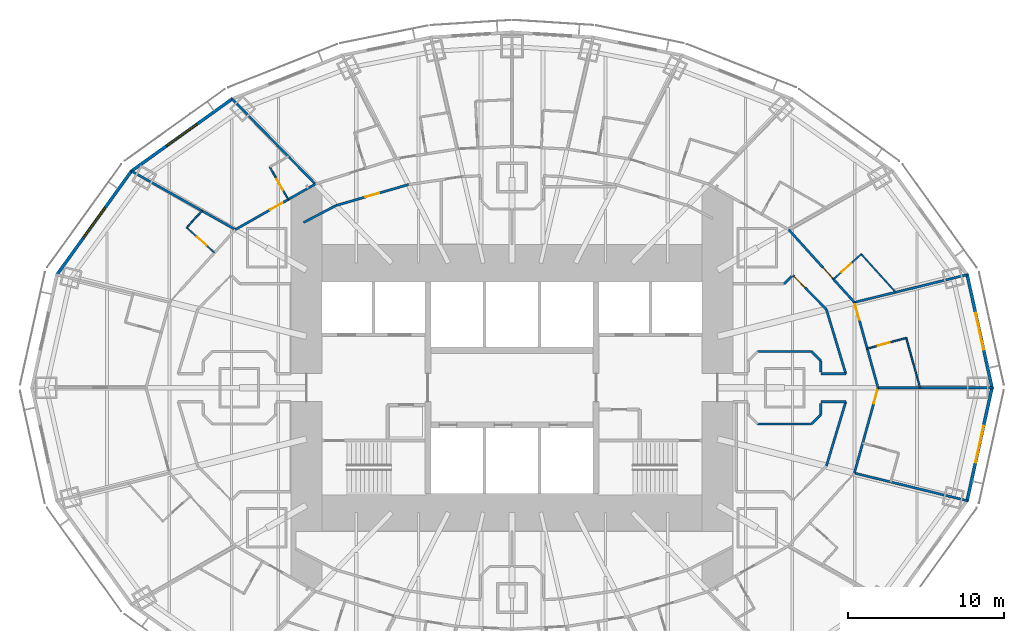
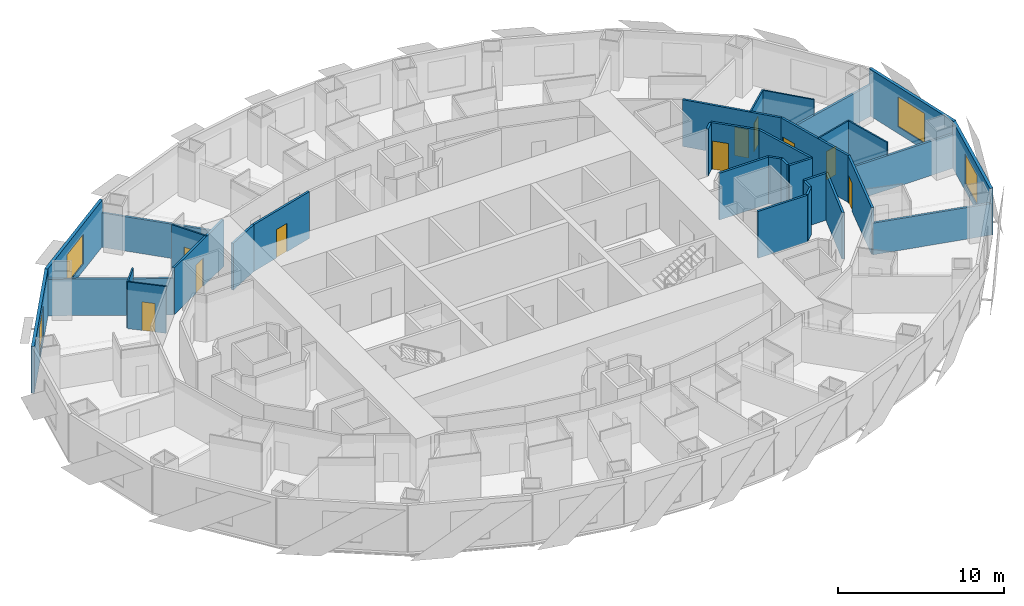
# One storey, part 9 of 17: 34 walls, 10 doors, 4 windows, 14 openings.
"""IFC4 building model written with IfcOpenShell, lengths in metres."""

from ifc_helpers import new_model, si_unit, direction, frame, frame_2d, origin, place, context, subcontext, project, spatial, rectangle, extrude, material, layer, layer_set, type_object, element, fill, save


model = new_model("IFC4")

# Units and contexts
model_context = context("Model", 3, precision=1e-05, world=origin(), true_north=direction((0.0, 1.0)))
body_context = subcontext(model_context, "Body", "Model", "MODEL_VIEW")
ifc_project = project(units=[si_unit("LENGTHUNIT", "METRE"), si_unit("AREAUNIT", "SQUARE_METRE"), si_unit("VOLUMEUNIT", "CUBIC_METRE"), si_unit("PLANEANGLEUNIT", "RADIAN"), si_unit("MASSUNIT", "GRAM", prefix="KILO")], contexts=[model_context])

# Site, building, storey
site_placement = place(None, origin())
site = spatial("IfcSite", under=ifc_project, at=site_placement, CompositionType="ELEMENT")
building_placement = place(site_placement, origin())
building = spatial("IfcBuilding", under=site, at=building_placement, Name="Lantaw Convention Tower", CompositionType="ELEMENT")
storey_placement = place(building_placement, frame((0.0, 0.0, 40.60009765625)))
storey = spatial("IfcBuildingStorey", under=building, at=storey_placement, Name="L07", CompositionType="ELEMENT", Elevation=40.60009765625)

# Wall, opening, door
ifc_material_1 = material(Name="Moisture resistant gypsum board on steel studs", Category="steel")
ifc_layer_1 = layer(ifc_material_1, 0.10009765625)
ifc_layer_set_1 = layer_set([ifc_layer_1], Name="Bathroom wall 100")
wall_type_1 = type_object("IfcWallType", Name="Bathroom wall 100", PredefinedType="PARTITIONING", material=ifc_layer_set_1)
wall_1_placement = place(storey_placement, frame((22.805908203125, 2.505615234375, 0.0), z_axis=(0.0, 0.0, 1.0), x_axis=(0.963707353322, 0.266960928139, 0.0)))
wall_1 = element("IfcWall", 1, at=wall_1_placement, inside=storey, type_object=wall_type_1, Name="Bathroom wall 100", PredefinedType="PARTITIONING", context=body_context, shape_type="SweptSolid", body=[
    extrude(rectangle(XDim=2.599853515625, YDim=0.10009765625, at=frame_2d((1.2998046875, 0.0))), origin(), (0.0, 0.0, 1.0), 3.449951171875),
])
opening_1_placement = place(wall_1_placement, frame((0.699951171875, 0.0, 0.0)))
opening_1 = element("IfcOpeningElement", 2, at=opening_1_placement, cuts=wall_1, Name="Opening L07.25", PredefinedType="OPENING", context=body_context, shape_type="SweptSolid", body=[
    extrude(rectangle(XDim=0.800048828125, YDim=2.10009765625, at=frame_2d((0.39990234375, 1.050048828125))), frame((0.0, 0.06005859375, 0.0), z_axis=(0.0, -1.0, 0.0), x_axis=(1.0, 0.0, 0.0)), (0.0, 0.0, 1.0), 0.1201171875),
])
ifc_material_2 = material(Name="Timber", Category="wood")
door_type_1 = type_object("IfcDoorType", Name="Bathroom door 800", OperationType="SINGLE_SWING_LEFT", PredefinedType="DOOR", material=ifc_material_2)
door_1_placement = place(opening_1_placement, origin())
door_1 = element("IfcDoor", 3, at=door_1_placement, inside=storey, type_object=door_type_1, Name="Bathroom door", OperationType="SINGLE_SWING_LEFT", OverallHeight=2.10009765625, OverallWidth=0.800048828125, PredefinedType="DOOR", context=body_context, shape_type="SweptSolid", body=[
    extrude(rectangle(XDim=0.800048828125, YDim=2.10009765625, at=frame_2d((0.39990234375, 1.050048828125))), frame((0.0, 0.02490234375, 0.0), z_axis=(0.0, -1.0, 0.0), x_axis=(1.0, 0.0, 0.0)), (0.0, 0.0, 1.0), 0.050048828125),
])
fill(opening_1, door_1)

# Wall
wall_2_placement = place(storey_placement, frame((25.3115234375, 3.19970703125, 0.0), z_axis=(0.0, 0.0, 1.0), x_axis=(0.266991503446, -0.963698882996, 0.0)))
element("IfcWall", 4, at=wall_2_placement, inside=storey, type_object=wall_type_1, Name="Bathroom wall 100", PredefinedType="PARTITIONING", context=body_context, shape_type="SweptSolid", body=[
    extrude(rectangle(XDim=3.3203125, YDim=0.10009765625, at=frame_2d((1.66015625, 0.0))), origin(), (0.0, 0.0, 1.0), 3.449951171875),
])

# Wall, opening, door
wall_3_placement = place(storey_placement, frame((20.640625, 6.96435546875, 0.0), z_axis=(0.0, 0.0, 1.0), x_axis=(0.741861025859, 0.670553665496, 0.0)))
wall_3 = element("IfcWall", 5, at=wall_3_placement, inside=storey, type_object=wall_type_1, Name="Bathroom wall 100", PredefinedType="PARTITIONING", context=body_context, shape_type="SweptSolid", body=[
    extrude(rectangle(XDim=2.400146484375, YDim=0.10009765625, at=frame_2d((1.2001953125, 0.0))), origin(), (0.0, 0.0, 1.0), 3.449951171875),
])
opening_2_placement = place(wall_3_placement, frame((0.699951171875, 0.0, 0.0)))
opening_2 = element("IfcOpeningElement", 6, at=opening_2_placement, cuts=wall_3, Name="Opening L07.27", PredefinedType="OPENING", context=body_context, shape_type="SweptSolid", body=[
    extrude(rectangle(XDim=0.800048828125, YDim=2.10009765625, at=frame_2d((0.39990234375, 1.050048828125))), frame((0.0, 0.06005859375, 0.0), z_axis=(0.0, -1.0, 0.0), x_axis=(1.0, 0.0, 0.0)), (0.0, 0.0, 1.0), 0.1201171875),
])
door_2_placement = place(opening_2_placement, origin())
door_2 = element("IfcDoor", 7, at=door_2_placement, inside=storey, type_object=door_type_1, Name="Bathroom door", OperationType="SINGLE_SWING_LEFT", OverallHeight=2.10009765625, OverallWidth=0.800048828125, PredefinedType="DOOR", context=body_context, shape_type="SweptSolid", body=[
    extrude(rectangle(XDim=0.800048828125, YDim=2.10009765625, at=frame_2d((0.39990234375, 1.050048828125))), frame((0.0, 0.02490234375, 0.0), z_axis=(0.0, -1.0, 0.0), x_axis=(1.0, 0.0, 0.0)), (0.0, 0.0, 1.0), 0.050048828125),
])
fill(opening_2, door_2)

# Wall
wall_4_placement = place(storey_placement, frame((22.421142578125, 8.57373046875, 0.0), z_axis=(0.0, 0.0, 1.0), x_axis=(0.670578246017, -0.741838807268, 0.0)))
element("IfcWall", 8, at=wall_4_placement, inside=storey, type_object=wall_type_1, Name="Bathroom wall 100", PredefinedType="PARTITIONING", context=body_context, shape_type="SweptSolid", body=[
    extrude(rectangle(XDim=3.2822265625, YDim=0.10009765625, at=frame_2d((1.64111328125, 0.0))), origin(), (0.0, 0.0, 1.0), 3.449951171875),
])

# Wall, opening, door
wall_5_placement = place(storey_placement, frame((-14.36279296875, 12.083984375, 0.0), z_axis=(0.0, 0.0, 1.0), x_axis=(-0.494703113698, 0.869062039959, 0.0)))
wall_5 = element("IfcWall", 9, at=wall_5_placement, inside=storey, type_object=wall_type_1, Name="Bathroom wall 100", PredefinedType="PARTITIONING", context=body_context, shape_type="SweptSolid", body=[
    extrude(rectangle(XDim=2.39990234375, YDim=0.10009765625, at=frame_2d((1.199951171875, 0.0))), origin(), (0.0, 0.0, 1.0), 3.449951171875),
])
opening_3_placement = place(wall_5_placement, frame((0.699951171875, 0.0, 0.0)))
opening_3 = element("IfcOpeningElement", 10, at=opening_3_placement, cuts=wall_5, Name="Opening L07.43", PredefinedType="OPENING", context=body_context, shape_type="SweptSolid", body=[
    extrude(rectangle(XDim=0.800048828125, YDim=2.10009765625, at=frame_2d((0.39990234375, 1.050048828125))), frame((0.0, 0.06005859375, 0.0), z_axis=(0.0, -1.0, 0.0), x_axis=(1.0, 0.0, 0.0)), (0.0, 0.0, 1.0), 0.1201171875),
])
door_3_placement = place(opening_3_placement, origin())
door_3 = element("IfcDoor", 11, at=door_3_placement, inside=storey, type_object=door_type_1, Name="Bathroom door", OperationType="SINGLE_SWING_LEFT", OverallHeight=2.10009765625, OverallWidth=0.800048828125, PredefinedType="DOOR", context=body_context, shape_type="SweptSolid", body=[
    extrude(rectangle(XDim=0.800048828125, YDim=2.10009765625, at=frame_2d((0.39990234375, 1.050048828125))), frame((0.0, 0.02490234375, 0.0), z_axis=(0.0, -1.0, 0.0), x_axis=(1.0, 0.0, 0.0)), (0.0, 0.0, 1.0), 0.050048828125),
])
fill(opening_3, door_3)

wall_6_placement = place(storey_placement, frame((-19.1025390625, 8.665771484375, 0.0), z_axis=(0.0, 0.0, 1.0), x_axis=(-0.741861025859, 0.670553665496, 0.0)))
wall_6 = element("IfcWall", 12, at=wall_6_placement, inside=storey, type_object=wall_type_1, Name="Bathroom wall 100", PredefinedType="PARTITIONING", context=body_context, shape_type="SweptSolid", body=[
    extrude(rectangle(XDim=2.400146484375, YDim=0.10009765625, at=frame_2d((1.2001953125, 0.0))), origin(), (0.0, 0.0, 1.0), 3.449951171875),
])
opening_4_placement = place(wall_6_placement, frame((0.699951171875, 0.0, 0.0)))
opening_4 = element("IfcOpeningElement", 13, at=opening_4_placement, cuts=wall_6, Name="Opening L07.45", PredefinedType="OPENING", context=body_context, shape_type="SweptSolid", body=[
    extrude(rectangle(XDim=0.800048828125, YDim=2.10009765625, at=frame_2d((0.39990234375, 1.050048828125))), frame((0.0, 0.06005859375, 0.0), z_axis=(0.0, -1.0, 0.0), x_axis=(1.0, 0.0, 0.0)), (0.0, 0.0, 1.0), 0.1201171875),
])
door_4_placement = place(opening_4_placement, origin())
door_4 = element("IfcDoor", 14, at=door_4_placement, inside=storey, type_object=door_type_1, Name="Bathroom door", OperationType="SINGLE_SWING_LEFT", OverallHeight=2.10009765625, OverallWidth=0.800048828125, PredefinedType="DOOR", context=body_context, shape_type="SweptSolid", body=[
    extrude(rectangle(XDim=0.800048828125, YDim=2.10009765625, at=frame_2d((0.39990234375, 1.050048828125))), frame((0.0, 0.02490234375, 0.0), z_axis=(0.0, -1.0, 0.0), x_axis=(1.0, 0.0, 0.0)), (0.0, 0.0, 1.0), 0.050048828125),
])
fill(opening_4, door_4)

# Wall
wall_7_placement = place(storey_placement, frame((-20.883056640625, 10.275146484375, 0.0), z_axis=(0.0, 0.0, 1.0), x_axis=(0.670592268759, 0.7418261313, 0.0)))
element("IfcWall", 15, at=wall_7_placement, inside=storey, type_object=wall_type_1, Name="Bathroom wall 100", PredefinedType="PARTITIONING", context=body_context, shape_type="SweptSolid", body=[
    extrude(rectangle(XDim=1.4736328125, YDim=0.10009765625, at=frame_2d((0.73681640625, 0.0))), origin(), (0.0, 0.0, 1.0), 3.449951171875),
])

# Wall, opening, door
ifc_material_3 = material(Name="Gypsum board on steel studs, fire rated", Category="steel")
ifc_layer_2 = layer(ifc_material_3, 0.14990234375)
ifc_layer_set_2 = layer_set([ifc_layer_2], Name="Corridor wall 150 EI 60")
wall_type_2 = type_object("IfcWallType", Name="Corridor wall 150 EI 60", PredefinedType="PARTITIONING", material=ifc_layer_set_2)
wall_8_placement = place(storey_placement, frame((23.5, 0.0, 0.0), z_axis=(0.0, 0.0, 1.0), x_axis=(-0.266933062421, 0.963715072097, 0.0)))
wall_8 = element("IfcWall", 16, at=wall_8_placement, inside=storey, type_object=wall_type_2, Name="Corridor wall 150", PredefinedType="PARTITIONING", context=body_context, shape_type="SweptSolid", body=[
    extrude(rectangle(XDim=5.68701171875, YDim=0.14990234375, at=frame_2d((2.843505859375, 0.0))), origin(), (0.0, 0.0, 1.0), 3.449951171875),
])
opening_5_placement = place(wall_8_placement, frame((4.537109375, 0.0, 0.0)))
opening_5 = element("IfcOpeningElement", 17, at=opening_5_placement, cuts=wall_8, Name="Opening L07.26", PredefinedType="OPENING", context=body_context, shape_type="SweptSolid", body=[
    extrude(rectangle(XDim=1.0, YDim=2.10009765625, at=frame_2d((0.5, 1.050048828125))), frame((0.0, 0.0849609375, 0.0), z_axis=(0.0, -1.0, 0.0), x_axis=(1.0, 0.0, 0.0)), (0.0, 0.0, 1.0), 0.169921875),
])
ifc_material_4 = material(Name="Steel, fire rated", Category="steel")
door_type_2 = type_object("IfcDoorType", Name="Accessible room entrance door FD30S", OperationType="SINGLE_SWING_LEFT", PredefinedType="DOOR", material=ifc_material_4)
door_5_placement = place(opening_5_placement, origin())
door_5 = element("IfcDoor", 18, at=door_5_placement, inside=storey, type_object=door_type_2, Name="Guest room entrance door", OperationType="SINGLE_SWING_LEFT", OverallHeight=2.10009765625, OverallWidth=1.0, PredefinedType="DOOR", context=body_context, shape_type="SweptSolid", body=[
    extrude(rectangle(XDim=1.0, YDim=2.10009765625, at=frame_2d((0.5, 1.050048828125))), frame((0.0, 0.02490234375, 0.0), z_axis=(0.0, -1.0, 0.0), x_axis=(1.0, 0.0, 0.0)), (0.0, 0.0, 1.0), 0.050048828125),
])
fill(opening_5, door_5)

wall_9_placement = place(storey_placement, frame((21.98193359375, 5.480712890625, 0.0), z_axis=(0.0, 0.0, 1.0), x_axis=(-0.670598380282, 0.741820606591, 0.0)))
wall_9 = element("IfcWall", 19, at=wall_9_placement, inside=storey, type_object=wall_type_2, Name="Corridor wall 150", PredefinedType="PARTITIONING", context=body_context, shape_type="SweptSolid", body=[
    extrude(rectangle(XDim=6.29345703125, YDim=0.14990234375, at=frame_2d((3.146728515625, 0.0))), origin(), (0.0, 0.0, 1.0), 3.449951171875),
])
opening_6_placement = place(wall_9_placement, frame((2.10009765625, 0.0, 0.0)))
opening_6 = element("IfcOpeningElement", 20, at=opening_6_placement, cuts=wall_9, Name="Opening L07.28", PredefinedType="OPENING", context=body_context, shape_type="SweptSolid", body=[
    extrude(rectangle(XDim=0.89990234375, YDim=2.10009765625, at=frame_2d((0.449951171875, 1.050048828125))), frame((0.0, 0.0849609375, 0.0), z_axis=(0.0, -1.0, 0.0), x_axis=(1.0, 0.0, 0.0)), (0.0, 0.0, 1.0), 0.169921875),
])
door_type_3 = type_object("IfcDoorType", Name="Guest room entrance door FD30S", OperationType="SINGLE_SWING_LEFT", PredefinedType="DOOR", material=ifc_material_4)
door_6_placement = place(opening_6_placement, origin())
door_6 = element("IfcDoor", 21, at=door_6_placement, inside=storey, type_object=door_type_3, Name="Guest room entrance door", OperationType="SINGLE_SWING_LEFT", OverallHeight=2.10009765625, OverallWidth=0.89990234375, PredefinedType="DOOR", context=body_context, shape_type="SweptSolid", body=[
    extrude(rectangle(XDim=0.89990234375, YDim=2.10009765625, at=frame_2d((0.449951171875, 1.050048828125))), frame((0.0, 0.02490234375, 0.0), z_axis=(0.0, -1.0, 0.0), x_axis=(1.0, 0.0, 0.0)), (0.0, 0.0, 1.0), 0.050048828125),
])
fill(opening_6, door_6)

wall_10_placement = place(storey_placement, frame((-12.624755859375, 13.0732421875, 0.0), z_axis=(0.0, 0.0, 1.0), x_axis=(-0.86907565943, -0.494679187136, 0.0)))
wall_10 = element("IfcWall", 22, at=wall_10_placement, inside=storey, type_object=wall_type_2, Name="Corridor wall 150", PredefinedType="PARTITIONING", context=body_context, shape_type="SweptSolid", body=[
    extrude(rectangle(XDim=5.91064453125, YDim=0.14990234375, at=frame_2d((2.955322265625, 0.0))), origin(), (0.0, 0.0, 1.0), 3.449951171875),
])
opening_7_placement = place(wall_10_placement, frame((2.43701171875, 0.0, 0.0)))
opening_7 = element("IfcOpeningElement", 23, at=opening_7_placement, cuts=wall_10, Name="Opening L07.44", PredefinedType="OPENING", context=body_context, shape_type="SweptSolid", body=[
    extrude(rectangle(XDim=0.89990234375, YDim=2.10009765625, at=frame_2d((0.449951171875, 1.050048828125))), frame((0.0, 0.0849609375, 0.0), z_axis=(0.0, -1.0, 0.0), x_axis=(1.0, 0.0, 0.0)), (0.0, 0.0, 1.0), 0.169921875),
])
door_7_placement = place(opening_7_placement, origin())
door_7 = element("IfcDoor", 24, at=door_7_placement, inside=storey, type_object=door_type_3, Name="Guest room entrance door", OperationType="SINGLE_SWING_LEFT", OverallHeight=2.10009765625, OverallWidth=0.89990234375, PredefinedType="DOOR", context=body_context, shape_type="SweptSolid", body=[
    extrude(rectangle(XDim=0.89990234375, YDim=2.10009765625, at=frame_2d((0.449951171875, 1.050048828125))), frame((0.0, 0.02490234375, 0.0), z_axis=(0.0, -1.0, 0.0), x_axis=(1.0, 0.0, 0.0)), (0.0, 0.0, 1.0), 0.050048828125),
])
fill(opening_7, door_7)

wall_11_placement = place(storey_placement, frame((21.98193359375, -5.480712890625, 0.0), z_axis=(0.0, 0.0, 1.0), x_axis=(0.266933062421, 0.963715072097, 0.0)))
wall_11 = element("IfcWall", 25, at=wall_11_placement, inside=storey, type_object=wall_type_2, Name="Corridor wall 150", PredefinedType="PARTITIONING", context=body_context, shape_type="SweptSolid", body=[
    extrude(rectangle(XDim=5.68701171875, YDim=0.14990234375, at=frame_2d((2.843505859375, 0.0))), origin(), (0.0, 0.0, 1.0), 3.449951171875),
])
opening_8_placement = place(wall_11_placement, frame((4.63720703125, 0.0, 0.0)))
opening_8 = element("IfcOpeningElement", 26, at=opening_8_placement, cuts=wall_11, Name="Opening L07.71", PredefinedType="OPENING", context=body_context, shape_type="SweptSolid", body=[
    extrude(rectangle(XDim=0.89990234375, YDim=2.10009765625, at=frame_2d((0.449951171875, 1.050048828125))), frame((0.0, 0.0849609375, 0.0), z_axis=(0.0, -1.0, 0.0), x_axis=(1.0, 0.0, 0.0)), (0.0, 0.0, 1.0), 0.169921875),
])
door_8_placement = place(opening_8_placement, origin())
door_8 = element("IfcDoor", 27, at=door_8_placement, inside=storey, type_object=door_type_3, Name="Guest room entrance door", OperationType="SINGLE_SWING_LEFT", OverallHeight=2.10009765625, OverallWidth=0.89990234375, PredefinedType="DOOR", context=body_context, shape_type="SweptSolid", body=[
    extrude(rectangle(XDim=0.89990234375, YDim=2.10009765625, at=frame_2d((0.449951171875, 1.050048828125))), frame((0.0, 0.02490234375, 0.0), z_axis=(0.0, -1.0, 0.0), x_axis=(1.0, 0.0, 0.0)), (0.0, 0.0, 1.0), 0.050048828125),
])
fill(opening_8, door_8)

# Wall
wall_12_placement = place(storey_placement, frame((21.4287109375, 0.89990234375, 0.0), z_axis=(0.0, 0.0, 1.0), x_axis=(-0.288603524054, 0.957448696225, 0.0)))
element("IfcWall", 28, at=wall_12_placement, inside=storey, type_object=wall_type_2, Name="Corridor wall 150", PredefinedType="PARTITIONING", context=body_context, shape_type="SweptSolid", body=[
    extrude(rectangle(XDim=4.31591796875, YDim=0.14990234375, at=frame_2d((2.157958984375, 0.0))), origin(), (0.0, 0.0, 1.0), 3.449951171875),
])

# Wall, opening, door
wall_13_placement = place(storey_placement, frame((-6.645263671875, 13.041748046875, 0.0), z_axis=(0.0, 0.0, 1.0), x_axis=(-0.960678318068, -0.277663770041, 0.0)))
wall_13 = element("IfcWall", 29, at=wall_13_placement, inside=storey, type_object=wall_type_2, Name="Corridor wall 150", PredefinedType="PARTITIONING", context=body_context, shape_type="SweptSolid", body=[
    extrude(rectangle(XDim=4.84130859375, YDim=0.14990234375, at=frame_2d((2.420654296875, 0.0))), origin(), (0.0, 0.0, 1.0), 3.449951171875),
])
opening_9_placement = place(wall_13_placement, frame((1.970703125, 0.0, 0.0)))
opening_9 = element("IfcOpeningElement", 30, at=opening_9_placement, cuts=wall_13, Name="Opening L07.19", PredefinedType="OPENING", context=body_context, shape_type="SweptSolid", body=[
    extrude(rectangle(XDim=0.89990234375, YDim=2.10009765625, at=frame_2d((0.449951171875, 1.050048828125))), frame((0.0, 0.0849609375, 0.0), z_axis=(0.0, -1.0, 0.0), x_axis=(1.0, 0.0, 0.0)), (0.0, 0.0, 1.0), 0.169921875),
])
door_type_4 = type_object("IfcDoorType", Name="Service door 900 FD30", OperationType="SINGLE_SWING_LEFT", PredefinedType="DOOR", material=ifc_material_4)
door_9_placement = place(opening_9_placement, origin())
door_9 = element("IfcDoor", 31, at=door_9_placement, inside=storey, type_object=door_type_4, Name="Housekeeping store door", OperationType="SINGLE_SWING_LEFT", OverallHeight=2.10009765625, OverallWidth=0.89990234375, PredefinedType="DOOR", context=body_context, shape_type="SweptSolid", body=[
    extrude(rectangle(XDim=0.89990234375, YDim=2.10009765625, at=frame_2d((0.449951171875, 1.050048828125))), frame((0.0, 0.02490234375, 0.0), z_axis=(0.0, -1.0, 0.0), x_axis=(1.0, 0.0, 0.0)), (0.0, 0.0, 1.0), 0.050048828125),
])
fill(opening_9, door_9)

# Walls
wall_14_placement = place(storey_placement, frame((20.18310546875, -5.0322265625, 0.0), z_axis=(0.0, 0.0, 1.0), x_axis=(0.288603524054, 0.957448696225, 0.0)))
element("IfcWall", 32, at=wall_14_placement, inside=storey, type_object=wall_type_2, Name="Corridor wall 150", PredefinedType="PARTITIONING", context=body_context, shape_type="SweptSolid", body=[
    extrude(rectangle(XDim=4.31591796875, YDim=0.14990234375, at=frame_2d((2.157958984375, 0.0))), origin(), (0.0, 0.0, 1.0), 3.449951171875),
])
wall_15_placement = place(storey_placement, frame((-11.296142578125, 11.697509765625, 0.0), z_axis=(0.0, 0.0, 1.0), x_axis=(-0.886306431218, -0.463099244203, 0.0)))
element("IfcWall", 33, at=wall_15_placement, inside=storey, type_object=wall_type_2, Name="Corridor wall 150", PredefinedType="PARTITIONING", context=body_context, shape_type="SweptSolid", body=[
    extrude(rectangle(XDim=2.3623046875, YDim=0.14990234375, at=frame_2d((1.18115234375, 0.0))), origin(), (0.0, 0.0, 1.0), 3.449951171875),
])

# Wall, opening, door
wall_16_placement = place(storey_placement, frame((20.18310546875, 5.0322265625, 0.0), z_axis=(0.0, 0.0, 1.0), x_axis=(-0.701392176983, 0.712775570616, 0.0)))
wall_16 = element("IfcWall", 34, at=wall_16_placement, inside=storey, type_object=wall_type_2, Name="Corridor wall 150", PredefinedType="PARTITIONING", context=body_context, shape_type="SweptSolid", body=[
    extrude(rectangle(XDim=3.06689453125, YDim=0.14990234375, at=frame_2d((1.533447265625, 0.0))), origin(), (0.0, 0.0, 1.0), 3.449951171875),
])
opening_10_placement = place(wall_16_placement, frame((1.949951171875, 0.0, 0.0)))
opening_10 = element("IfcOpeningElement", 35, at=opening_10_placement, cuts=wall_16, Name="Opening L07.17", PredefinedType="OPENING", context=body_context, shape_type="SweptSolid", body=[
    extrude(rectangle(XDim=1.0, YDim=2.10009765625, at=frame_2d((0.5, 1.050048828125))), frame((0.0, 0.0849609375, 0.0), z_axis=(0.0, -1.0, 0.0), x_axis=(1.0, 0.0, 0.0)), (0.0, 0.0, 1.0), 0.169921875),
])
door_type_5 = type_object("IfcDoorType", Name="Service door 1000 FD30", OperationType="SINGLE_SWING_LEFT", PredefinedType="DOOR", material=ifc_material_4)
door_10_placement = place(opening_10_placement, origin())
door_10 = element("IfcDoor", 36, at=door_10_placement, inside=storey, type_object=door_type_5, Name="Linen store door", OperationType="SINGLE_SWING_LEFT", OverallHeight=2.10009765625, OverallWidth=1.0, PredefinedType="DOOR", context=body_context, shape_type="SweptSolid", body=[
    extrude(rectangle(XDim=1.0, YDim=2.10009765625, at=frame_2d((0.5, 1.050048828125))), frame((0.0, 0.02490234375, 0.0), z_axis=(0.0, -1.0, 0.0), x_axis=(1.0, 0.0, 0.0)), (0.0, 0.0, 1.0), 0.050048828125),
])
fill(opening_10, door_10)

# Walls
wall_17_placement = place(storey_placement, frame((17.951904296875, 7.15234375, 0.0), z_axis=(0.0, 0.0, 1.0), x_axis=(-0.707106781187, -0.707106781187, 0.0)))
element("IfcWall", 37, at=wall_17_placement, inside=storey, type_object=wall_type_2, Name="Corridor wall 150", PredefinedType="PARTITIONING", context=body_context, shape_type="SweptSolid", body=[
    extrude(rectangle(XDim=0.675048828125, YDim=0.14990234375, at=frame_2d((0.33740234375, 0.0))), origin(), (0.0, 0.0, 1.0), 3.449951171875),
])
for number, where, z_axis, x_axis, name in (
    (38, (19.8349609375, -0.89990234375, 0.0), (0.0, 0.0, 1.0), (1.0, 0.0, 0.0), "Corridor wall 150"),
    (39, (19.8349609375, 0.89990234375, 0.0), (0.0, 0.0, 1.0), (1.0, 0.0, 0.0), "Corridor wall 150"),
):
    element("IfcWall", number, at=place(storey_placement, frame(where, z_axis=z_axis, x_axis=x_axis)), inside=storey, type_object=wall_type_2, Name=name, PredefinedType="PARTITIONING", context=body_context, shape_type="SweptSolid", body=[
        extrude(rectangle(XDim=1.59375, YDim=0.14990234375, at=frame_2d((0.796875, 0.0))), origin(), (0.0, 0.0, 1.0), 3.449951171875),
    ])
wall_18_placement = place(storey_placement, frame((15.775390625, 2.324951171875, 0.0), z_axis=(0.0, 0.0, 1.0), x_axis=(1.0, 0.0, 0.0)))
element("IfcWall", 40, at=wall_18_placement, inside=storey, type_object=wall_type_2, Name="Corridor wall 150", PredefinedType="PARTITIONING", context=body_context, shape_type="SweptSolid", body=[
    extrude(rectangle(XDim=3.44921875, YDim=0.14990234375, at=frame_2d((1.724609375, 0.0))), origin(), (0.0, 0.0, 1.0), 3.449951171875),
])
wall_19_placement = place(storey_placement, frame((19.224609375, 2.324951171875, 0.0), z_axis=(0.0, 0.0, 1.0), x_axis=(0.707106781187, -0.707106781187, 0.0)))
element("IfcWall", 41, at=wall_19_placement, inside=storey, type_object=wall_type_2, Name="Corridor wall 150", PredefinedType="PARTITIONING", context=body_context, shape_type="SweptSolid", body=[
    extrude(rectangle(XDim=0.84912109375, YDim=0.14990234375, at=frame_2d((0.424560546875, 0.0))), origin(), (0.0, 0.0, 1.0), 3.449951171875),
])
for number, where, z_axis, x_axis, name in (
    (42, (19.824951171875, 1.724609375, 0.0), (0.0, 0.0, 1.0), (0.0, -1.0, 0.0), "Corridor wall 150"),
    (43, (19.824951171875, -1.003173828125, 0.0), (0.0, 0.0, 1.0), (0.0, -1.0, 0.0), "Corridor wall 150"),
):
    element("IfcWall", number, at=place(storey_placement, frame(where, z_axis=z_axis, x_axis=x_axis)), inside=storey, type_object=wall_type_2, Name=name, PredefinedType="PARTITIONING", context=body_context, shape_type="SweptSolid", body=[
        extrude(rectangle(XDim=0.721435546875, YDim=0.14990234375, at=frame_2d((0.36083984375, 0.0))), origin(), (0.0, 0.0, 1.0), 3.449951171875),
    ])
wall_20_placement = place(storey_placement, frame((19.824951171875, -1.724609375, 0.0), z_axis=(0.0, 0.0, 1.0), x_axis=(-0.707106781187, -0.707106781187, 0.0)))
element("IfcWall", 44, at=wall_20_placement, inside=storey, type_object=wall_type_2, Name="Corridor wall 150", PredefinedType="PARTITIONING", context=body_context, shape_type="SweptSolid", body=[
    extrude(rectangle(XDim=0.84912109375, YDim=0.14990234375, at=frame_2d((0.424560546875, 0.0))), origin(), (0.0, 0.0, 1.0), 3.449951171875),
])
wall_21_placement = place(storey_placement, frame((19.224609375, -2.324951171875, 0.0), z_axis=(0.0, 0.0, 1.0), x_axis=(-1.0, 0.0, 0.0)))
element("IfcWall", 45, at=wall_21_placement, inside=storey, type_object=wall_type_2, Name="Corridor wall 150", PredefinedType="PARTITIONING", context=body_context, shape_type="SweptSolid", body=[
    extrude(rectangle(XDim=3.44921875, YDim=0.14990234375, at=frame_2d((1.724609375, 0.0))), origin(), (0.0, 0.0, 1.0), 3.449951171875),
])

# Wall, opening, window
ifc_material_5 = material(Name="Insulated aluminium panel on steel frame", Category="steel")
ifc_layer_3 = layer(ifc_material_5, 0.199951171875)
ifc_layer_set_3 = layer_set([ifc_layer_3], Name="External wall 200")
wall_type_3 = type_object("IfcWallType", Name="External wall 200", PredefinedType="SOLIDWALL", material=ifc_layer_set_3)
wall_22_placement = place(storey_placement, frame((30.83544921875, -0.06689453125, 0.0), z_axis=(0.0, 0.0, 1.0), x_axis=(-0.215238065514, 0.976561608478, 0.0)))
wall_22 = element("IfcWall", 46, at=wall_22_placement, inside=storey, type_object=wall_type_3, Name="Facade panel wall", PredefinedType="SOLIDWALL", context=body_context, shape_type="SweptSolid", body=[
    extrude(rectangle(XDim=7.562255859375, YDim=0.199951171875, at=frame_2d((3.78125, 0.0))), origin(), (0.0, 0.0, 1.0), 3.449951171875),
])
opening_11_placement = place(wall_22_placement, frame((2.581298828125, 0.0, 0.5)))
opening_11 = element("IfcOpeningElement", 47, at=opening_11_placement, cuts=wall_22, Name="Opening W1", PredefinedType="OPENING", context=body_context, shape_type="SweptSolid", body=[
    extrude(rectangle(XDim=2.39990234375, YDim=2.199951171875, at=frame_2d((1.199951171875, 1.10009765625))), frame((0.0, 0.10986328125, 0.0), z_axis=(0.0, -1.0, 0.0), x_axis=(1.0, 0.0, 0.0)), (0.0, 0.0, 1.0), 0.219970703125),
])
ifc_material_6 = material(Name="Aluminium frame, clear insulating glass", Category="aluminium")
window_type = type_object("IfcWindowType", Name="Guest room window 2400x2200", PartitioningType="SINGLE_PANEL", PredefinedType="WINDOW", material=ifc_material_6)
window_1_placement = place(opening_11_placement, origin())
window_1 = element("IfcWindow", 48, at=window_1_placement, inside=storey, type_object=window_type, Name="Guest room window", OverallHeight=2.199951171875, OverallWidth=2.39990234375, PartitioningType="SINGLE_PANEL", PredefinedType="WINDOW", context=body_context, shape_type="SweptSolid", body=[
    extrude(rectangle(XDim=2.39990234375, YDim=2.199951171875, at=frame_2d((1.199951171875, 1.10009765625))), frame((0.0, 0.030029296875, 0.0), z_axis=(0.0, -1.0, 0.0), x_axis=(1.0, 0.0, 0.0)), (0.0, 0.0, 1.0), 0.06005859375),
])
fill(opening_11, window_1)

wall_23_placement = place(storey_placement, frame((-17.9287109375, 18.57177734375, 0.0), z_axis=(0.0, 0.0, 1.0), x_axis=(-0.812791321576, -0.582554948112, 0.0)))
wall_23 = element("IfcWall", 49, at=wall_23_placement, inside=storey, type_object=wall_type_3, Name="Facade panel wall", PredefinedType="SOLIDWALL", context=body_context, shape_type="SweptSolid", body=[
    extrude(rectangle(XDim=8.063232421875, YDim=0.199951171875, at=frame_2d((4.03173828125, 0.0))), origin(), (0.0, 0.0, 1.0), 3.449951171875),
])
opening_12_placement = place(wall_23_placement, frame((2.83154296875, 0.0, 0.5)))
opening_12 = element("IfcOpeningElement", 50, at=opening_12_placement, cuts=wall_23, Name="Opening W1", PredefinedType="OPENING", context=body_context, shape_type="SweptSolid", body=[
    extrude(rectangle(XDim=2.39990234375, YDim=2.199951171875, at=frame_2d((1.199951171875, 1.10009765625))), frame((0.0, 0.10986328125, 0.0), z_axis=(0.0, -1.0, 0.0), x_axis=(1.0, 0.0, 0.0)), (0.0, 0.0, 1.0), 0.219970703125),
])
window_2_placement = place(opening_12_placement, origin())
window_2 = element("IfcWindow", 51, at=window_2_placement, inside=storey, type_object=window_type, Name="Guest room window", OverallHeight=2.199951171875, OverallWidth=2.39990234375, PartitioningType="SINGLE_PANEL", PredefinedType="WINDOW", context=body_context, shape_type="SweptSolid", body=[
    extrude(rectangle(XDim=2.39990234375, YDim=2.199951171875, at=frame_2d((1.199951171875, 1.10009765625))), frame((0.0, 0.030029296875, 0.0), z_axis=(0.0, -1.0, 0.0), x_axis=(1.0, 0.0, 0.0)), (0.0, 0.0, 1.0), 0.06005859375),
])
fill(opening_12, window_2)

wall_24_placement = place(storey_placement, frame((-24.400390625, 13.95654296875, 0.0), z_axis=(0.0, 0.0, 1.0), x_axis=(-0.583937613703, -0.811798536155, 0.0)))
wall_24 = element("IfcWall", 52, at=wall_24_placement, inside=storey, type_object=wall_type_3, Name="Facade panel wall", PredefinedType="SOLIDWALL", context=body_context, shape_type="SweptSolid", body=[
    extrude(rectangle(XDim=8.322998046875, YDim=0.199951171875, at=frame_2d((4.16162109375, 0.0))), origin(), (0.0, 0.0, 1.0), 3.449951171875),
])
opening_13_placement = place(wall_24_placement, frame((2.96142578125, 0.0, 0.5)))
opening_13 = element("IfcOpeningElement", 53, at=opening_13_placement, cuts=wall_24, Name="Opening W1", PredefinedType="OPENING", context=body_context, shape_type="SweptSolid", body=[
    extrude(rectangle(XDim=2.39990234375, YDim=2.199951171875, at=frame_2d((1.199951171875, 1.10009765625))), frame((0.0, 0.10986328125, 0.0), z_axis=(0.0, -1.0, 0.0), x_axis=(1.0, 0.0, 0.0)), (0.0, 0.0, 1.0), 0.219970703125),
])
window_3_placement = place(opening_13_placement, origin())
window_3 = element("IfcWindow", 54, at=window_3_placement, inside=storey, type_object=window_type, Name="Guest room window", OverallHeight=2.199951171875, OverallWidth=2.39990234375, PartitioningType="SINGLE_PANEL", PredefinedType="WINDOW", context=body_context, shape_type="SweptSolid", body=[
    extrude(rectangle(XDim=2.39990234375, YDim=2.199951171875, at=frame_2d((1.199951171875, 1.10009765625))), frame((0.0, 0.030029296875, 0.0), z_axis=(0.0, -1.0, 0.0), x_axis=(1.0, 0.0, 0.0)), (0.0, 0.0, 1.0), 0.06005859375),
])
fill(opening_13, window_3)

wall_25_placement = place(storey_placement, frame((29.207763671875, -7.318115234375, 0.0), z_axis=(0.0, 0.0, 1.0), x_axis=(0.215238065514, 0.976561608478, 0.0)))
wall_25 = element("IfcWall", 55, at=wall_25_placement, inside=storey, type_object=wall_type_3, Name="Facade panel wall", PredefinedType="SOLIDWALL", context=body_context, shape_type="SweptSolid", body=[
    extrude(rectangle(XDim=7.562255859375, YDim=0.199951171875, at=frame_2d((3.78125, 0.0))), origin(), (0.0, 0.0, 1.0), 3.449951171875),
])
opening_14_placement = place(wall_25_placement, frame((2.581298828125, 0.0, 0.5)))
opening_14 = element("IfcOpeningElement", 56, at=opening_14_placement, cuts=wall_25, Name="Opening W1", PredefinedType="OPENING", context=body_context, shape_type="SweptSolid", body=[
    extrude(rectangle(XDim=2.39990234375, YDim=2.199951171875, at=frame_2d((1.199951171875, 1.10009765625))), frame((0.0, 0.10986328125, 0.0), z_axis=(0.0, -1.0, 0.0), x_axis=(1.0, 0.0, 0.0)), (0.0, 0.0, 1.0), 0.219970703125),
])
window_4_placement = place(opening_14_placement, origin())
window_4 = element("IfcWindow", 57, at=window_4_placement, inside=storey, type_object=window_type, Name="Guest room window", OverallHeight=2.199951171875, OverallWidth=2.39990234375, PartitioningType="SINGLE_PANEL", PredefinedType="WINDOW", context=body_context, shape_type="SweptSolid", body=[
    extrude(rectangle(XDim=2.39990234375, YDim=2.199951171875, at=frame_2d((1.199951171875, 1.10009765625))), frame((0.0, 0.030029296875, 0.0), z_axis=(0.0, -1.0, 0.0), x_axis=(1.0, 0.0, 0.0)), (0.0, 0.0, 1.0), 0.06005859375),
])
fill(opening_14, window_4)

# Walls
ifc_material_7 = material(Name="Gypsum board on steel studs, acoustic", Category="steel")
ifc_layer_4 = layer(ifc_material_7, 0.14990234375)
ifc_layer_set_4 = layer_set([ifc_layer_4], Name="Guest room party wall 150")
wall_type_4 = type_object("IfcWallType", Name="Guest room party wall 150", PredefinedType="PARTITIONING", material=ifc_layer_set_4)
wall_26_placement = place(storey_placement, frame((30.82080078125, 0.0, 0.0), z_axis=(0.0, 0.0, 1.0), x_axis=(-1.0, 0.0, 0.0)))
element("IfcWall", 58, at=wall_26_placement, inside=storey, type_object=wall_type_4, Name="Guest room party wall 150", PredefinedType="PARTITIONING", context=body_context, shape_type="SweptSolid", body=[
    extrude(rectangle(XDim=7.32080078125, YDim=0.14990234375, at=frame_2d((3.660400390625, 0.0))), origin(), (0.0, 0.0, 1.0), 2.52783203125),
])
wall_27_placement = place(storey_placement, frame((29.221923828125, 7.253662109375, 0.0), z_axis=(0.0, 0.0, 1.0), x_axis=(-0.97130070913, -0.237854855832, 0.0)))
element("IfcWall", 59, at=wall_27_placement, inside=storey, type_object=wall_type_4, Name="Guest room party wall 150", PredefinedType="PARTITIONING", context=body_context, shape_type="SweptSolid", body=[
    extrude(rectangle(XDim=7.453857421875, YDim=0.14990234375, at=frame_2d((3.72705078125, 0.0))), origin(), (0.0, 0.0, 1.0), 2.332275390625),
])
wall_28_placement = place(storey_placement, frame((-17.970458984375, 18.541748046875, 0.0), z_axis=(0.0, 0.0, 1.0), x_axis=(0.699032031211, -0.715090357467, 0.0)))
element("IfcWall", 60, at=wall_28_placement, inside=storey, type_object=wall_type_4, Name="Guest room party wall 150", PredefinedType="PARTITIONING", context=body_context, shape_type="SweptSolid", body=[
    extrude(rectangle(XDim=7.647216796875, YDim=0.14990234375, at=frame_2d((3.82373046875, 0.0))), origin(), (0.0, 0.0, 1.0), 2.52783203125),
])
wall_29_placement = place(storey_placement, frame((-24.434814453125, 13.90869140625, 0.0), z_axis=(0.0, 0.0, 1.0), x_axis=(0.871267209855, -0.490808974074, 0.0)))
element("IfcWall", 61, at=wall_29_placement, inside=storey, type_object=wall_type_4, Name="Guest room party wall 150", PredefinedType="PARTITIONING", context=body_context, shape_type="SweptSolid", body=[
    extrude(rectangle(XDim=7.659423828125, YDim=0.14990234375, at=frame_2d((3.82958984375, 0.0))), origin(), (0.0, 0.0, 1.0), 2.69287109375),
])
wall_30_placement = place(storey_placement, frame((29.221923828125, -7.253662109375, 0.0), z_axis=(0.0, 0.0, 1.0), x_axis=(-0.97130070913, 0.237854855832, 0.0)))
element("IfcWall", 62, at=wall_30_placement, inside=storey, type_object=wall_type_4, Name="Guest room party wall 150", PredefinedType="PARTITIONING", context=body_context, shape_type="SweptSolid", body=[
    extrude(rectangle(XDim=7.453857421875, YDim=0.14990234375, at=frame_2d((3.72705078125, 0.0))), origin(), (0.0, 0.0, 1.0), 2.332275390625),
])

save(model, "model.ifc")
